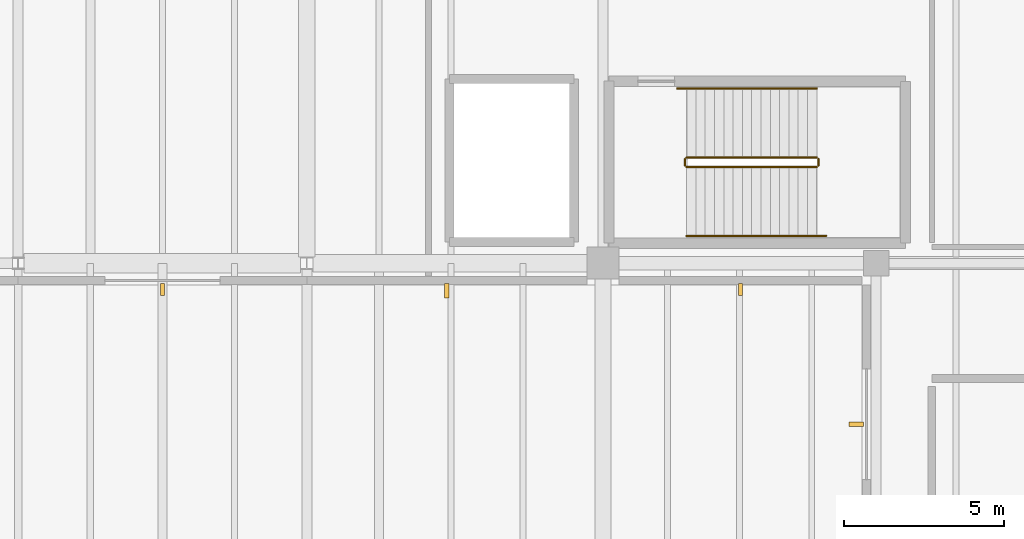
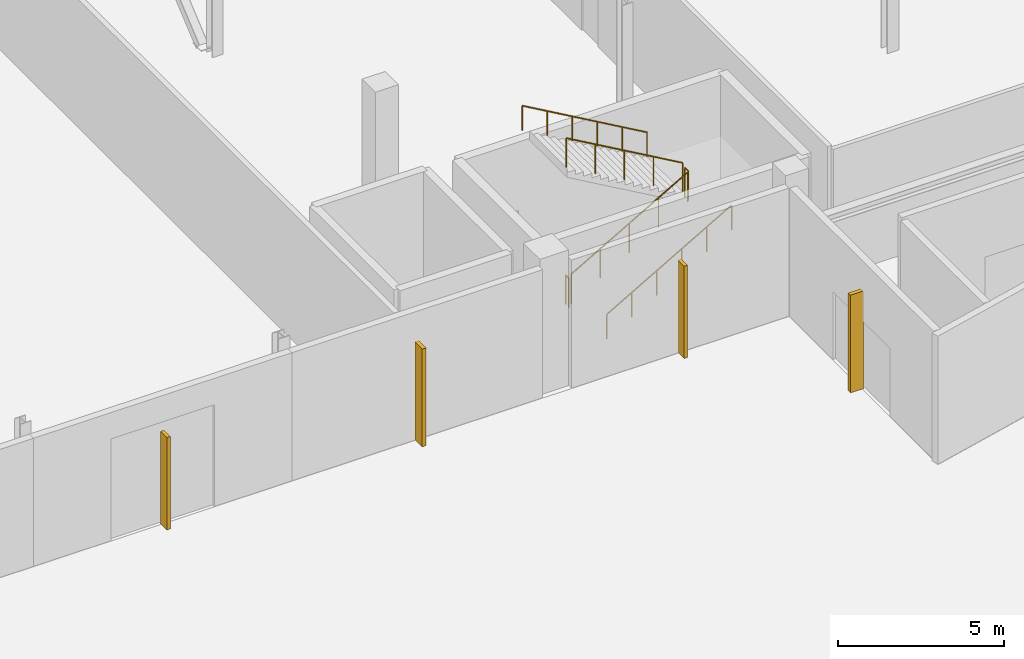
# One storey, part 87 of 88: 6 railings, 4 shading devices.
"""IFC4 building model written with IfcOpenShell, lengths in metres."""

from ifc_helpers import new_model, si_unit, direction, frame, origin, origin_2d, place, context, subcontext, project, spatial, rectangle, circle, extrude, material, type_object, element, save


model = new_model("IFC4")

# Units and contexts
model_context = context("Model", 3, precision=1e-05, world=origin(), true_north=direction((0.0, 1.0)))
body_context = subcontext(model_context, "Body", "Model", "MODEL_VIEW")
ifc_project = project(units=[si_unit("LENGTHUNIT", "METRE"), si_unit("AREAUNIT", "SQUARE_METRE"), si_unit("VOLUMEUNIT", "CUBIC_METRE"), si_unit("PLANEANGLEUNIT", "RADIAN"), si_unit("MASSUNIT", "GRAM", prefix="KILO")], contexts=[model_context])

# Site, building, storey
site_placement = place(None, origin())
site = spatial("IfcSite", under=ifc_project, at=site_placement, CompositionType="ELEMENT")
building_placement = place(site_placement, origin())
building = spatial("IfcBuilding", under=site, at=building_placement, Name="Trimount Lyric Opera House", CompositionType="ELEMENT")
storey_placement = place(building_placement, origin())
storey = spatial("IfcBuildingStorey", under=building, at=storey_placement, Name="L00", CompositionType="ELEMENT", Elevation=0.0)

# Railings
ifc_material_1 = material(Name="Brushed Stainless Steel 316", Category="steel")
railing_type_1 = type_object("IfcRailingType", Name="RL-GRD110", PredefinedType="GUARDRAIL", material=ifc_material_1)
railing_1_placement = place(storey_placement, frame((150.85009765625, 47.0, 0.166748046875)))
element("IfcRailing", 1, at=railing_1_placement, inside=storey, type_object=railing_type_1, Name="L00 ST-05 stair guard 1", PredefinedType="GUARDRAIL", context=body_context, shape_type="SweptSolid", body=[
    extrude(circle(Radius=0.02392578125, at=origin_2d()), frame((0.0, 0.0, 1.076171875), z_axis=(0.86701161382, 0.0, 0.498287930319), x_axis=(0.0, 1.0, 0.0)), (0.0, 0.0, 1.0), 4.6826171875),
    extrude(circle(Radius=0.02099609375, at=origin_2d()), origin(), (0.0, 0.0, 1.0), 1.052001953125),
    extrude(circle(Radius=0.02099609375, at=origin_2d()), frame((1.014892578125, 0.0, 0.583251953125)), (0.0, 0.0, 1.0), 1.052001953125),
    extrude(circle(Radius=0.02099609375, at=origin_2d()), frame((2.02978515625, 0.0, 1.16650390625)), (0.0, 0.0, 1.0), 1.052001953125),
    extrude(circle(Radius=0.02099609375, at=origin_2d()), frame((3.044921875, 0.0, 1.75)), (0.0, 0.0, 1.0), 1.052001953125),
    extrude(circle(Radius=0.02099609375, at=origin_2d()), frame((4.059814453125, 0.0, 2.333251953125)), (0.0, 0.0, 1.0), 1.052001953125),
])
railing_2_placement = place(storey_placement, frame((154.9599609375, 47.050048828125, 2.5)))
element("IfcRailing", 2, at=railing_2_placement, inside=storey, type_object=railing_type_1, Name="L00 ST-05 stair guard 2", PredefinedType="GUARDRAIL", context=body_context, shape_type="SweptSolid", body=[
    extrude(circle(Radius=0.02392578125, at=origin_2d()), frame((0.0, 0.0, 1.076171875), z_axis=(0.0, 1.0, 0.0), x_axis=(-1.0, 0.0, 0.0)), (0.0, 0.0, 1.0), 0.199951171875),
    extrude(circle(Radius=0.02099609375, at=origin_2d()), origin(), (0.0, 0.0, 1.0), 1.052001953125),
    extrude(circle(Radius=0.02099609375, at=origin_2d()), frame((0.0, 0.199951171875, 0.0)), (0.0, 0.0, 1.0), 1.052001953125),
])
railing_3_placement = place(storey_placement, frame((154.909912109375, 47.300048828125, 2.666748046875)))
element("IfcRailing", 3, at=railing_3_placement, inside=storey, type_object=railing_type_1, Name="L00 ST-05 stair guard 3", PredefinedType="GUARDRAIL", context=body_context, shape_type="SweptSolid", body=[
    extrude(circle(Radius=0.02392578125, at=origin_2d()), frame((0.0, 0.0, 1.076171875), z_axis=(-0.86701161382, 0.0, 0.498287930319), x_axis=(0.0, -1.0, 0.0)), (0.0, 0.0, 1.0), 4.6826171875),
    extrude(circle(Radius=0.02099609375, at=origin_2d()), origin(), (0.0, 0.0, 1.0), 1.052001953125),
    extrude(circle(Radius=0.02099609375, at=origin_2d()), frame((-1.014892578125, 0.0, 0.583251953125)), (0.0, 0.0, 1.0), 1.052001953125),
    extrude(circle(Radius=0.02099609375, at=origin_2d()), frame((-2.02978515625, 0.0, 1.16650390625)), (0.0, 0.0, 1.0), 1.052001953125),
    extrude(circle(Radius=0.02099609375, at=origin_2d()), frame((-3.044921875, 0.0, 1.75)), (0.0, 0.0, 1.0), 1.052001953125),
    extrude(circle(Radius=0.02099609375, at=origin_2d()), frame((-4.059814453125, 0.0, 2.333251953125)), (0.0, 0.0, 1.0), 1.052001953125),
])
railing_4_placement = place(storey_placement, frame((150.800048828125, 47.050048828125, 0.0)))
element("IfcRailing", 4, at=railing_4_placement, inside=storey, type_object=railing_type_1, Name="L00 ST-05 stair guard 4", PredefinedType="GUARDRAIL", context=body_context, shape_type="SweptSolid", body=[
    extrude(circle(Radius=0.02392578125, at=origin_2d()), frame((0.0, 0.0, 1.076171875), z_axis=(0.0, 1.0, 0.0), x_axis=(-1.0, 0.0, 0.0)), (0.0, 0.0, 1.0), 0.199951171875),
    extrude(circle(Radius=0.02099609375, at=origin_2d()), origin(), (0.0, 0.0, 1.0), 1.052001953125),
    extrude(circle(Radius=0.02099609375, at=origin_2d()), frame((0.0, 0.199951171875, 0.0)), (0.0, 0.0, 1.0), 1.052001953125),
])
ifc_material_2 = material(Name="Brushed Stainless Steel 316", Category="steel")
railing_type_2 = type_object("IfcRailingType", Name="RL-HND092", PredefinedType="HANDRAIL", material=ifc_material_2)
railing_5_placement = place(storey_placement, frame((150.85009765625, 44.85009765625, 0.166748046875)))
element("IfcRailing", 5, at=railing_5_placement, inside=storey, type_object=railing_type_2, Name="L00 ST-05 stair handrail 1", PredefinedType="HANDRAIL", context=body_context, shape_type="SweptSolid", body=[
    extrude(circle(Radius=0.0224609375, at=origin_2d()), frame((0.0, 0.0, 0.8974609375), z_axis=(0.866754379005, 0.0, 0.498735246875), x_axis=(0.0, 1.0, 0.0)), (0.0, 0.0, 1.0), 5.0185546875),
    extrude(circle(Radius=0.02099609375, at=origin_2d()), origin(), (0.0, 0.0, 1.0), 0.875),
    extrude(circle(Radius=0.02099609375, at=origin_2d()), frame((0.869873046875, 0.0, 0.50048828125)), (0.0, 0.0, 1.0), 0.875),
    extrude(circle(Radius=0.02099609375, at=origin_2d()), frame((1.739990234375, 0.0, 1.001220703125)), (0.0, 0.0, 1.0), 0.875),
    extrude(circle(Radius=0.02099609375, at=origin_2d()), frame((2.60986328125, 0.0, 1.501708984375)), (0.0, 0.0, 1.0), 0.875),
    extrude(circle(Radius=0.02099609375, at=origin_2d()), frame((3.47998046875, 0.0, 2.00244140625)), (0.0, 0.0, 1.0), 0.875),
    extrude(circle(Radius=0.02099609375, at=origin_2d()), frame((4.349853515625, 0.0, 2.5029296875)), (0.0, 0.0, 1.0), 0.875),
])
railing_6_placement = place(storey_placement, frame((154.909912109375, 49.449951171875, 2.666748046875)))
element("IfcRailing", 6, at=railing_6_placement, inside=storey, type_object=railing_type_2, Name="L00 ST-05 stair handrail 2", PredefinedType="HANDRAIL", context=body_context, shape_type="SweptSolid", body=[
    extrude(circle(Radius=0.0224609375, at=origin_2d()), frame((0.0, 0.0, 0.8974609375), z_axis=(-0.866754379005, 0.0, 0.498735246875), x_axis=(0.0, -1.0, 0.0)), (0.0, 0.0, 1.0), 5.0185546875),
    extrude(circle(Radius=0.02099609375, at=origin_2d()), origin(), (0.0, 0.0, 1.0), 0.875),
    extrude(circle(Radius=0.02099609375, at=origin_2d()), frame((-0.869873046875, 0.0, 0.50048828125)), (0.0, 0.0, 1.0), 0.875),
    extrude(circle(Radius=0.02099609375, at=origin_2d()), frame((-1.739990234375, 0.0, 1.001220703125)), (0.0, 0.0, 1.0), 0.875),
    extrude(circle(Radius=0.02099609375, at=origin_2d()), frame((-2.60986328125, 0.0, 1.501708984375)), (0.0, 0.0, 1.0), 0.875),
    extrude(circle(Radius=0.02099609375, at=origin_2d()), frame((-3.47998046875, 0.0, 2.00244140625)), (0.0, 0.0, 1.0), 0.875),
    extrude(circle(Radius=0.02099609375, at=origin_2d()), frame((-4.349853515625, 0.0, 2.5029296875)), (0.0, 0.0, 1.0), 0.875),
])

# Shading devices
ifc_material_3 = material(Name="Extruded Bronze Vertical Acoustic Fin")
shading_device_type_1 = type_object("IfcShadingDeviceType", Name="SHD-FIN1", PredefinedType="USERDEFINED", material=ifc_material_3)
shading_device_1_placement = place(storey_placement, frame((156.139892578125, 38.9765625, 0.0), z_axis=(0.0, 0.0, 1.0), x_axis=(1.0, 0.0, 0.0)))
element("IfcShadingDevice", 7, at=shading_device_1_placement, inside=storey, type_object=shading_device_type_1, Name="Vertical architectural facade fin 033", ObjectType="FIN", PredefinedType="USERDEFINED", context=body_context, shape_type="SweptSolid", body=[
    extrude(rectangle(XDim=0.449951171875, YDim=0.139892578125, at=origin_2d()), origin(), (0.0, 0.0, 1.0), 3.60009765625),
])
shading_device_2_placement = place(storey_placement, frame((143.3701171875, 43.139892578125, 0.0), z_axis=(0.0, 0.0, 1.0), x_axis=(1.0, 0.0, 0.0)))
element("IfcShadingDevice", 8, at=shading_device_2_placement, inside=storey, type_object=shading_device_type_1, Name="Vertical architectural facade fin 035", ObjectType="FIN", PredefinedType="USERDEFINED", context=body_context, shape_type="SweptSolid", body=[
    extrude(rectangle(XDim=0.139892578125, YDim=0.449951171875, at=origin_2d()), origin(), (0.0, 0.0, 1.0), 3.60009765625),
])
ifc_material_4 = material(Name="Extruded White Aluminium Sun Fin", Category="aluminium")
shading_device_type_2 = type_object("IfcShadingDeviceType", Name="SHD-FIN2", PredefinedType="USERDEFINED", material=ifc_material_4)
for number, where, z_axis, x_axis, name in (
    (9, (152.530029296875, 43.175048828125, 0.0), (0.0, 0.0, 1.0), (1.0, 0.0, 0.0), "Vertical architectural facade fin 034"),
    (10, (134.5, 43.175048828125, 0.0), (0.0, 0.0, 1.0), (1.0, 0.0, 0.0), "Vertical architectural facade fin 036"),
):
    element("IfcShadingDevice", number, at=place(storey_placement, frame(where, z_axis=z_axis, x_axis=x_axis)), inside=storey, type_object=shading_device_type_2, Name=name, ObjectType="FIN", PredefinedType="USERDEFINED", context=body_context, shape_type="SweptSolid", body=[
        extrude(rectangle(XDim=0.1201171875, YDim=0.3798828125, at=origin_2d()), origin(), (0.0, 0.0, 1.0), 3.39990234375),
    ])

save(model, "model.ifc")
